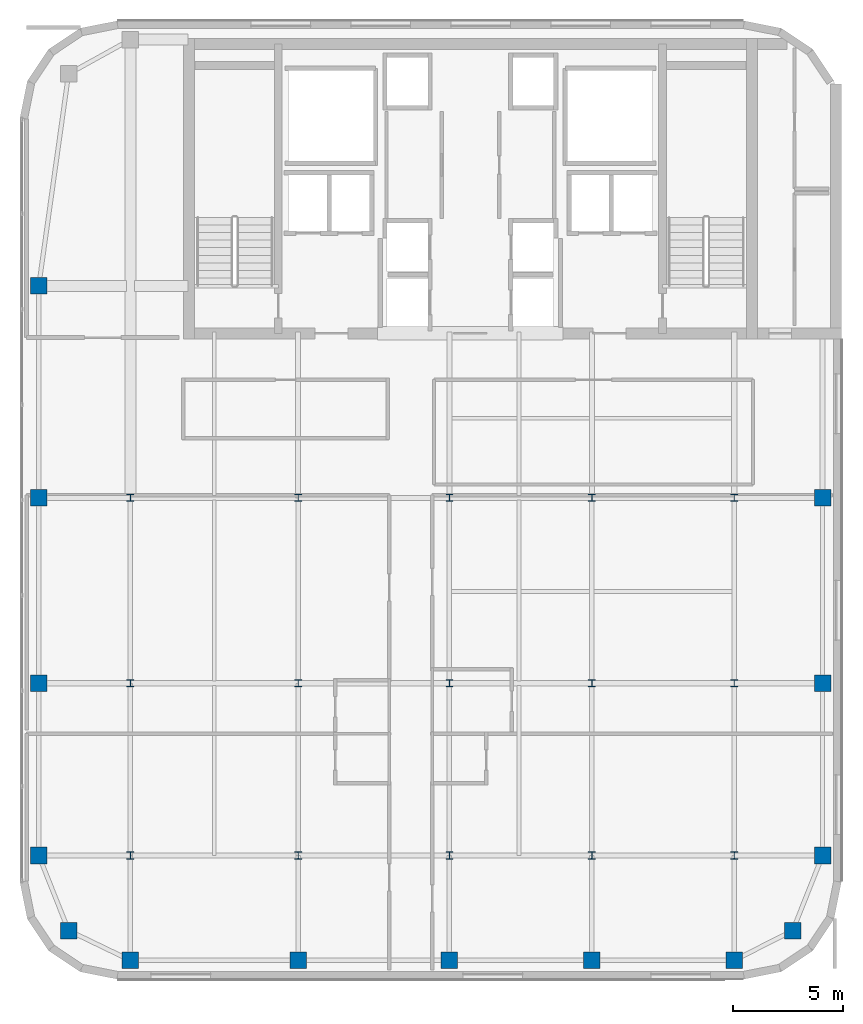
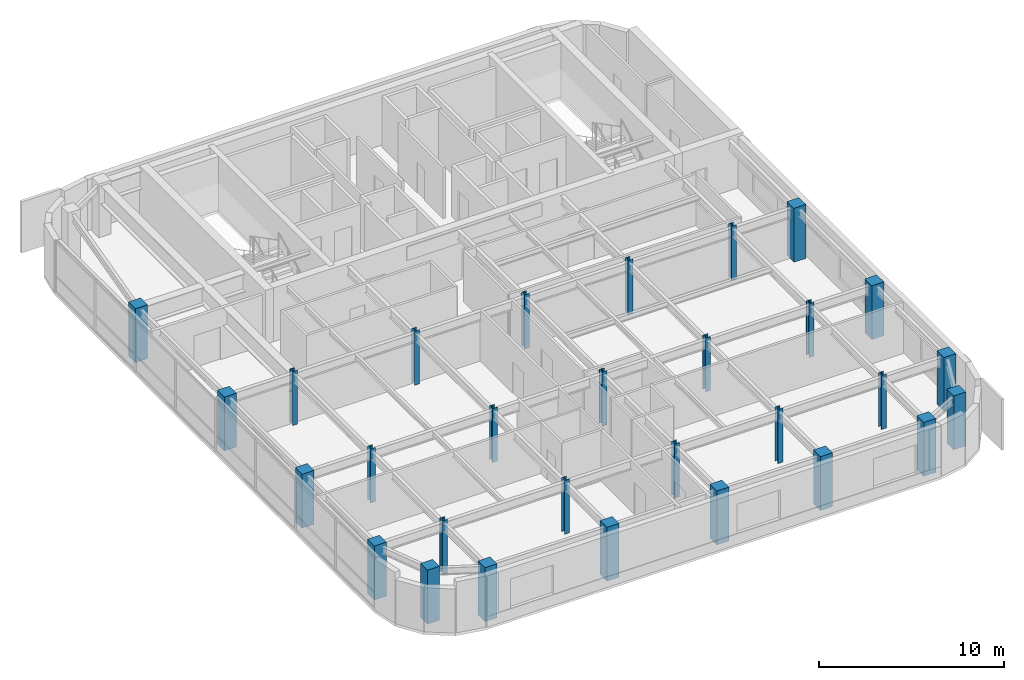
# One storey, part 1 of 21: 29 columns.
"""IFC4 building model written with IfcOpenShell, lengths in metres."""

from ifc_helpers import new_model, si_unit, direction, frame, origin, origin_2d, place, context, subcontext, project, spatial, rectangle, i_section, extrude, source, transform, mapped, material, material_profile, profile_set, type_object, type_shapes, element, save


model = new_model("IFC4")

# Units and contexts
model_context = context("Model", 3, precision=1e-05, world=origin(), true_north=direction((0.0, 1.0)))
body_context = subcontext(model_context, "Body", "Model", "MODEL_VIEW")
ifc_project = project(units=[si_unit("LENGTHUNIT", "METRE"), si_unit("AREAUNIT", "SQUARE_METRE"), si_unit("VOLUMEUNIT", "CUBIC_METRE"), si_unit("PLANEANGLEUNIT", "RADIAN"), si_unit("MASSUNIT", "GRAM", prefix="KILO")], contexts=[model_context])

# Site, building, storey
site_placement = place(None, origin())
site = spatial("IfcSite", under=ifc_project, at=site_placement, CompositionType="ELEMENT")
building_placement = place(site_placement, origin())
building = spatial("IfcBuilding", under=site, at=building_placement, Name="Tolvann Quenvar Hotel", CompositionType="ELEMENT")
storey_placement = place(building_placement, frame((0.0, 0.0, 227.449951171875)))
storey = spatial("IfcBuildingStorey", under=building, at=storey_placement, Name="L60", CompositionType="ELEMENT", Elevation=227.449951171875)

# Columns
ifc_material_1 = material(Name="Concrete N50 (50 MPa)", Category="concrete")
ifc_material_profile_1 = material_profile(ifc_material_1, rectangle(XDim=0.75, YDim=0.75, at=origin_2d()), Name="RC750x750")
ifc_profile_set_1 = profile_set([ifc_material_profile_1], Name="Concrete N50 (50 MPa)")
column_type_1 = type_object("IfcColumnType", Name="COL_RC750", PredefinedType="COLUMN", material=ifc_profile_set_1)
shared_shape_1 = source(origin(), body_context, "Body", "SweptSolid", [
    extrude(rectangle(XDim=0.75, YDim=0.75, at=origin_2d()), origin(), (0.0, 0.0, 1.0), 3.550048828125),
])
type_shapes(column_type_1, [shared_shape_1])
for number, where, z_axis, x_axis, name in (
    (1, (4.800048828125, 4.800048828125, 0.0), (0.0, 0.0, 1.0), (1.0, 0.0, 0.0), "Column B2 (L60)"),
    (2, (3.449951171875, 8.199951171875, 0.0), (0.0, 0.0, 1.0), (1.0, 0.0, 0.0), "Column B3 (L60)"),
    (3, (3.449951171875, 16.0, 0.0), (0.0, 0.0, 1.0), (1.0, 0.0, 0.0), "Column B4 (L60)"),
    (4, (3.449951171875, 24.39990234375, 0.0), (0.0, 0.0, 1.0), (1.0, 0.0, 0.0), "Column B5 (L60)"),
    (5, (7.60009765625, 3.449951171875, 0.0), (0.0, 0.0, 1.0), (1.0, 0.0, 0.0), "Column C2 (L60)"),
    (6, (15.199951171875, 3.449951171875, 0.0), (0.0, 0.0, 1.0), (1.0, 0.0, 0.0), "Column D2 (L60)"),
    (7, (22.050048828125, 3.449951171875, 0.0), (0.0, 0.0, 1.0), (1.0, 0.0, 0.0), "Column E2 (L60)"),
    (8, (28.5, 3.449951171875, 0.0), (0.0, 0.0, 1.0), (1.0, 0.0, 0.0), "Column M2 (L60)"),
    (9, (34.949951171875, 3.449951171875, 0.0), (0.0, 0.0, 1.0), (1.0, 0.0, 0.0), "Column F2 (L60)"),
    (10, (37.60009765625, 4.800048828125, 0.0), (0.0, 0.0, 1.0), (1.0, 0.0, 0.0), "Column G2 (L60)"),
    (11, (38.949951171875, 8.199951171875, 0.0), (0.0, 0.0, 1.0), (1.0, 0.0, 0.0), "Column G3 (L60)"),
    (12, (38.949951171875, 16.0, 0.0), (0.0, 0.0, 1.0), (1.0, 0.0, 0.0), "Column G4 (L60)"),
    (13, (38.949951171875, 24.39990234375, 0.0), (0.0, 0.0, 1.0), (1.0, 0.0, 0.0), "Column G5 (L60)"),
    (14, (3.449951171875, 34.0, 0.0), (0.0, 0.0, 1.0), (1.0, 0.0, 0.0), "Column BD6 (L60)"),
):
    element("IfcColumn", number, at=place(storey_placement, frame(where, z_axis=z_axis, x_axis=x_axis)), inside=storey, type_object=column_type_1, Name=name, PredefinedType="COLUMN", context=body_context, shape_type="MappedRepresentation", body=[
        mapped(shared_shape_1, transform((0.0, 0.0, 0.0), x_axis=(1.0, 0.0, 0.0), y_axis=(0.0, 1.0, 0.0), z_axis=(0.0, 0.0, 1.0), scale=1.0)),
    ])
ifc_material_2 = material(Name="Steel Grade 350", Category="steel")
ifc_material_profile_2 = material_profile(ifc_material_2, i_section(OverallWidth=0.31103515625, OverallDepth=0.326904296875, WebThickness=0.015625, FlangeThickness=0.02490234375, FilletRadius=0.0166015625, at=origin_2d()), Name="310UC158")
ifc_profile_set_2 = profile_set([ifc_material_profile_2], Name="Steel Grade 350")
column_type_2 = type_object("IfcColumnType", Name="COL_310UC158", PredefinedType="COLUMN", material=ifc_profile_set_2)
shared_shape_2 = source(origin(), body_context, "Body", "SweptSolid", [
    extrude(i_section(OverallWidth=0.31103515625, OverallDepth=0.326904296875, WebThickness=0.015625, FlangeThickness=0.02490234375, FilletRadius=0.0166015625, at=origin_2d()), origin(), (0.0, 0.0, 1.0), 3.550048828125),
])
type_shapes(column_type_2, [shared_shape_2])
for number, where, z_axis, x_axis, name in (
    (15, (7.60009765625, 8.199951171875, 0.0), (0.0, 0.0, 1.0), (1.0, 0.0, 0.0), "Column C3 (L60)"),
    (16, (7.60009765625, 16.0, 0.0), (0.0, 0.0, 1.0), (1.0, 0.0, 0.0), "Column C4 (L60)"),
    (17, (7.60009765625, 24.39990234375, 0.0), (0.0, 0.0, 1.0), (1.0, 0.0, 0.0), "Column C5 (L60)"),
    (18, (15.199951171875, 8.199951171875, 0.0), (0.0, 0.0, 1.0), (1.0, 0.0, 0.0), "Column D3 (L60)"),
    (19, (15.199951171875, 16.0, 0.0), (0.0, 0.0, 1.0), (1.0, 0.0, 0.0), "Column D4 (L60)"),
    (20, (15.199951171875, 24.39990234375, 0.0), (0.0, 0.0, 1.0), (1.0, 0.0, 0.0), "Column D5 (L60)"),
    (21, (22.050048828125, 8.199951171875, 0.0), (0.0, 0.0, 1.0), (1.0, 0.0, 0.0), "Column E3 (L60)"),
    (22, (22.050048828125, 16.0, 0.0), (0.0, 0.0, 1.0), (1.0, 0.0, 0.0), "Column E4 (L60)"),
    (23, (22.050048828125, 24.39990234375, 0.0), (0.0, 0.0, 1.0), (1.0, 0.0, 0.0), "Column E5 (L60)"),
    (24, (28.5, 8.199951171875, 0.0), (0.0, 0.0, 1.0), (1.0, 0.0, 0.0), "Column M3 (L60)"),
    (25, (28.5, 16.0, 0.0), (0.0, 0.0, 1.0), (1.0, 0.0, 0.0), "Column M4 (L60)"),
    (26, (28.5, 24.39990234375, 0.0), (0.0, 0.0, 1.0), (1.0, 0.0, 0.0), "Column M5 (L60)"),
    (27, (34.949951171875, 8.199951171875, 0.0), (0.0, 0.0, 1.0), (1.0, 0.0, 0.0), "Column F3 (L60)"),
    (28, (34.949951171875, 16.0, 0.0), (0.0, 0.0, 1.0), (1.0, 0.0, 0.0), "Column F4 (L60)"),
    (29, (34.949951171875, 24.39990234375, 0.0), (0.0, 0.0, 1.0), (1.0, 0.0, 0.0), "Column F5 (L60)"),
):
    element("IfcColumn", number, at=place(storey_placement, frame(where, z_axis=z_axis, x_axis=x_axis)), inside=storey, type_object=column_type_2, Name=name, PredefinedType="COLUMN", context=body_context, shape_type="MappedRepresentation", body=[
        mapped(shared_shape_2, transform((0.0, 0.0, 0.0), x_axis=(1.0, 0.0, 0.0), y_axis=(0.0, 1.0, 0.0), z_axis=(0.0, 0.0, 1.0), scale=1.0)),
    ])

save(model, "model.ifc")
